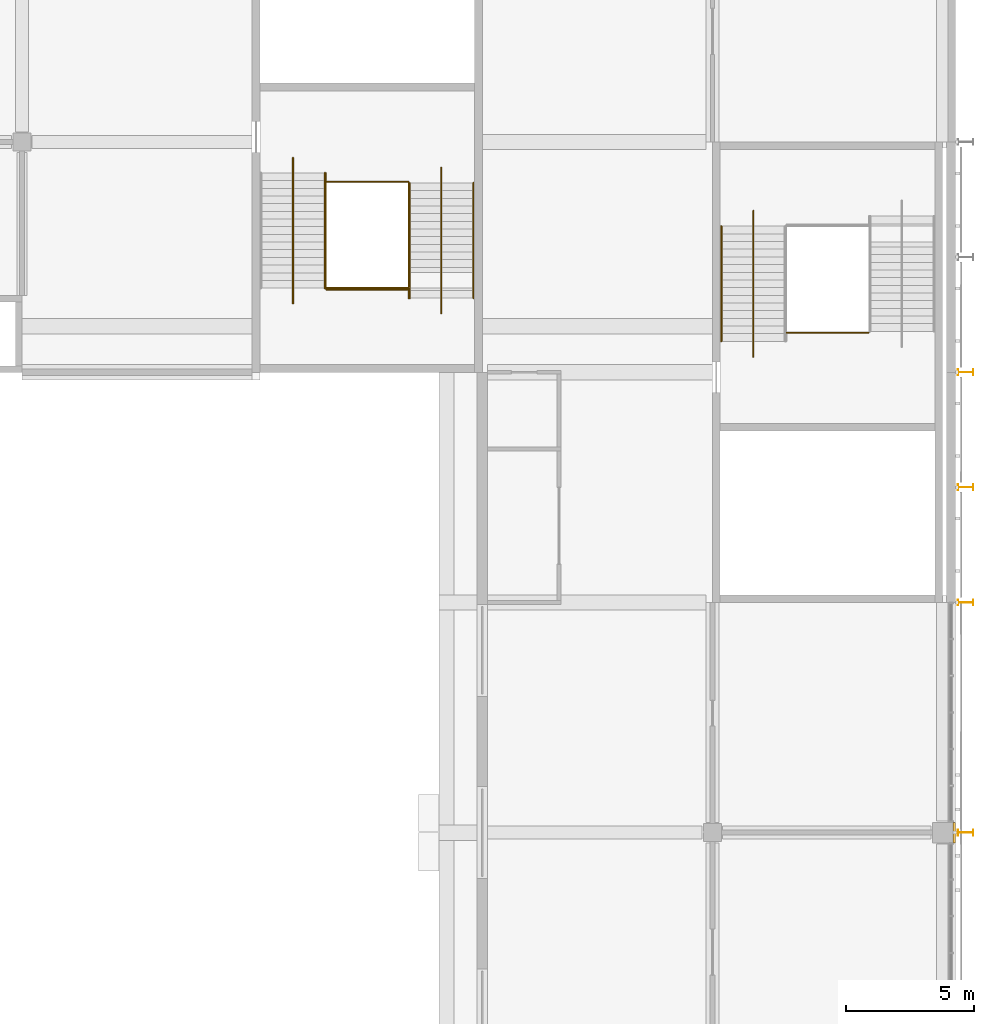
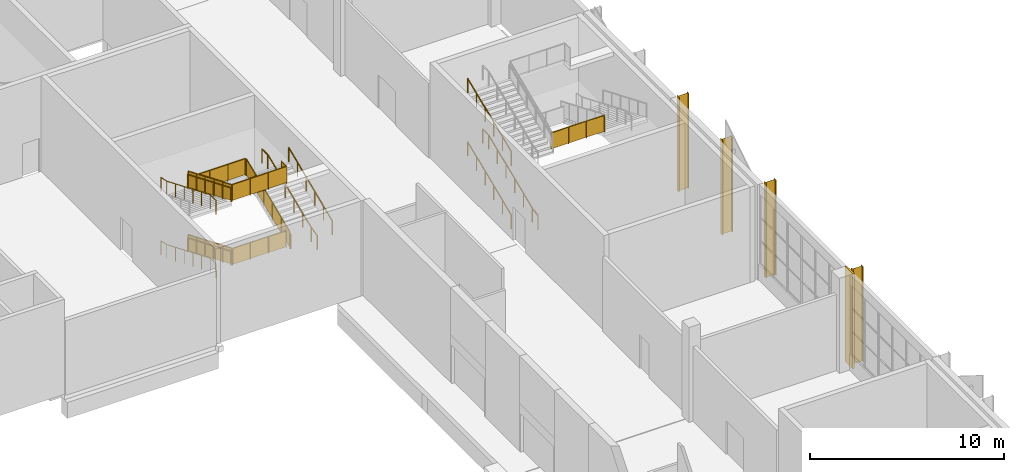
# One storey, part 82 of 89: 17 railings, 4 shading devices, 1 covering.
"""IFC4 building model written with IfcOpenShell, lengths in metres."""

from ifc_helpers import new_model, si_unit, direction, frame, origin, origin_2d, place, context, subcontext, project, spatial, polyline, circle, i_section, outline, extrude, material, layer, layer_set, material_profile, profile_set, type_object, element, save


model = new_model("IFC4")

# Units and contexts
model_context = context("Model", 3, precision=1e-05, world=origin(), true_north=direction((0.0, 1.0)))
body_context = subcontext(model_context, "Body", "Model", "MODEL_VIEW")
ifc_project = project(units=[si_unit("LENGTHUNIT", "METRE"), si_unit("AREAUNIT", "SQUARE_METRE"), si_unit("VOLUMEUNIT", "CUBIC_METRE"), si_unit("PLANEANGLEUNIT", "RADIAN"), si_unit("MASSUNIT", "GRAM", prefix="KILO")], contexts=[model_context])

# Site, building, storey
site_placement = place(None, origin())
site = spatial("IfcSite", under=ifc_project, at=site_placement, CompositionType="ELEMENT")
building_placement = place(site_placement, origin())
building = spatial("IfcBuilding", under=site, at=building_placement, Name="Silverbay Arena", CompositionType="ELEMENT")
storey_placement = place(building_placement, frame((0.0, 0.0, 22.0)))
storey = spatial("IfcBuildingStorey", under=building, at=storey_placement, Name="L03", CompositionType="ELEMENT", Elevation=22.0)

# Covering
ifc_material_1 = material(Name="Aluminium composite cladding", Category="aluminium")
ifc_layer = layer(ifc_material_1, 0.10009765625)
ifc_layer_set = layer_set([ifc_layer], Name="Aluminium composite cladding")
covering_type = type_object("IfcCoveringType", Name="Column cladding 100", PredefinedType="CLADDING", material=ifc_layer_set)
covering_placement = place(storey_placement, origin())
element("IfcCovering", 1, at=covering_placement, inside=storey, type_object=covering_type, Name="East column cladding L03 10", PredefinedType="CLADDING", context=body_context, shape_type="SweptSolid", body=[
    extrude(outline(polyline([(207.39990234375, 80.60009765625), (207.5, 80.60009765625), (207.5, 81.39990234375), (207.39990234375, 81.39990234375), (207.39990234375, 80.60009765625)])), origin(), (0.0, 0.0, 1.0), 6.0),
])

# Railings
ifc_material_2 = material(Name="Stainless steel", Category="steel")
railing_type_1 = type_object("IfcRailingType", Name="Stair guard 1100", PredefinedType="GUARDRAIL", material=ifc_material_2)
railing_1_placement = place(storey_placement, frame((200.89990234375, 100.550048828125, 4.0)))
element("IfcRailing", 2, at=railing_1_placement, inside=storey, type_object=railing_type_1, Name="Stair ST-E2 L03 to L04 landing 2 guard", PredefinedType="GUARDRAIL", context=body_context, shape_type="SweptSolid", body=[
    extrude(circle(Radius=0.02392578125, at=origin_2d()), frame((0.0, 0.0, 1.076171875), z_axis=(1.0, 0.0, 0.0), x_axis=(0.0, 1.0, 0.0)), (0.0, 0.0, 1.0), 3.2001953125),
    extrude(outline(polyline([(-0.008056640625, 0.050048828125), (1.07470703125, 0.050048828125), (1.07470703125, 1.052978515625), (-0.008056640625, 1.052978515625), (-0.008056640625, 0.050048828125)])), frame((0.0, 0.0029296875, 0.0), z_axis=(0.0, -1.0, 0.0), x_axis=(1.0, 0.0, 0.0)), (0.0, 0.0, 1.0), 0.006103515625),
    extrude(outline(polyline([(-0.008056640625, 0.050048828125), (1.07470703125, 0.050048828125), (1.07470703125, 1.052978515625), (-0.008056640625, 1.052978515625), (-0.008056640625, 0.050048828125)])), frame((1.066650390625, 0.0029296875, 0.0), z_axis=(0.0, -1.0, 0.0), x_axis=(1.0, 0.0, 0.0)), (0.0, 0.0, 1.0), 0.006103515625),
    extrude(outline(polyline([(-0.008056640625, 0.050048828125), (1.07470703125, 0.050048828125), (1.07470703125, 1.052978515625), (-0.008056640625, 1.052978515625), (-0.008056640625, 0.050048828125)])), frame((2.133544921875, 0.0029296875, 0.0), z_axis=(0.0, -1.0, 0.0), x_axis=(1.0, 0.0, 0.0)), (0.0, 0.0, 1.0), 0.006103515625),
    extrude(circle(Radius=0.02099609375, at=origin_2d()), origin(), (0.0, 0.0, 1.0), 1.052001953125),
    extrude(circle(Radius=0.02099609375, at=origin_2d()), frame((1.066650390625, 0.0, 0.0)), (0.0, 0.0, 1.0), 1.052001953125),
    extrude(circle(Radius=0.02099609375, at=origin_2d()), frame((2.133544921875, 0.0, 0.0)), (0.0, 0.0, 1.0), 1.052001953125),
    extrude(circle(Radius=0.02099609375, at=origin_2d()), frame((3.2001953125, 0.0, 0.0)), (0.0, 0.0, 1.0), 1.052001953125),
])
railing_2_placement = place(storey_placement, frame((182.875, 106.7900390625, 0.125)))
element("IfcRailing", 3, at=railing_2_placement, inside=storey, type_object=railing_type_1, Name="Stair ST-NE2 L03 to L04 flight 1 guard right", PredefinedType="GUARDRAIL", context=body_context, shape_type="SweptSolid", body=[
    extrude(circle(Radius=0.02392578125, at=origin_2d()), frame((0.0, 0.0, 1.076171875), z_axis=(0.0, -0.923076923077, 0.384615384615), x_axis=(1.0, 0.0, 0.0)), (0.0, 0.0, 1.0), 4.875),
    extrude(outline(polyline([(-0.008056640625, 0.046630859375), (0.907958984375, 0.42822265625), (0.907958984375, 1.431396484375), (-0.008056640625, 1.049560546875), (-0.008056640625, 0.046630859375)])), frame((0.0029296875, 0.0, 0.0), z_axis=(-1.0, 0.0, 0.0), x_axis=(0.0, -1.0, 0.0)), (0.0, 0.0, 1.0), 0.006103515625),
    extrude(outline(polyline([(-0.008056640625, 0.421630859375), (0.907958984375, 0.80322265625), (0.907958984375, 1.806396484375), (-0.008056640625, 1.424560546875), (-0.008056640625, 0.421630859375)])), frame((0.0029296875, -0.89990234375, 0.0), z_axis=(-1.0, 0.0, 0.0), x_axis=(0.0, -1.0, 0.0)), (0.0, 0.0, 1.0), 0.006103515625),
    extrude(outline(polyline([(-0.008056640625, 0.796630859375), (0.907958984375, 1.17822265625), (0.907958984375, 2.181396484375), (-0.008056640625, 1.799560546875), (-0.008056640625, 0.796630859375)])), frame((0.0029296875, -1.800048828125, 0.0), z_axis=(-1.0, 0.0, 0.0), x_axis=(0.0, -1.0, 0.0)), (0.0, 0.0, 1.0), 0.006103515625),
    extrude(outline(polyline([(-0.008056640625, 1.171630859375), (0.907958984375, 1.55322265625), (0.907958984375, 2.556396484375), (-0.008056640625, 2.174560546875), (-0.008056640625, 1.171630859375)])), frame((0.0029296875, -2.699951171875, 0.0), z_axis=(-1.0, 0.0, 0.0), x_axis=(0.0, -1.0, 0.0)), (0.0, 0.0, 1.0), 0.006103515625),
    extrude(outline(polyline([(-0.008056640625, 1.546630859375), (0.907958984375, 1.92822265625), (0.907958984375, 2.931396484375), (-0.008056640625, 2.549560546875), (-0.008056640625, 1.546630859375)])), frame((0.0029296875, -3.60009765625, 0.0), z_axis=(-1.0, 0.0, 0.0), x_axis=(0.0, -1.0, 0.0)), (0.0, 0.0, 1.0), 0.006103515625),
    extrude(circle(Radius=0.02099609375, at=origin_2d()), origin(), (0.0, 0.0, 1.0), 1.052001953125),
    extrude(circle(Radius=0.02099609375, at=origin_2d()), frame((0.0, -0.89990234375, 0.375)), (0.0, 0.0, 1.0), 1.052001953125),
    extrude(circle(Radius=0.02099609375, at=origin_2d()), frame((0.0, -1.800048828125, 0.75)), (0.0, 0.0, 1.0), 1.052001953125),
    extrude(circle(Radius=0.02099609375, at=origin_2d()), frame((0.0, -2.699951171875, 1.125)), (0.0, 0.0, 1.0), 1.052001953125),
    extrude(circle(Radius=0.02099609375, at=origin_2d()), frame((0.0, -3.60009765625, 1.5)), (0.0, 0.0, 1.0), 1.052001953125),
    extrude(circle(Radius=0.02099609375, at=origin_2d()), frame((0.0, -4.5, 1.875)), (0.0, 0.0, 1.0), 1.052001953125),
])
railing_3_placement = place(storey_placement, frame((186.125, 101.89990234375, 2.125)))
element("IfcRailing", 4, at=railing_3_placement, inside=storey, type_object=railing_type_1, Name="Stair ST-NE2 L03 to L04 flight 2 guard left", PredefinedType="GUARDRAIL", context=body_context, shape_type="SweptSolid", body=[
    extrude(circle(Radius=0.02392578125, at=origin_2d()), frame((0.0, 0.0, 1.076171875), z_axis=(0.0, 0.923076923077, 0.384615384615), x_axis=(-1.0, 0.0, 0.0)), (0.0, 0.0, 1.0), 4.875),
    extrude(outline(polyline([(-0.008056640625, 0.046630859375), (0.907958984375, 0.42822265625), (0.907958984375, 1.431396484375), (-0.008056640625, 1.049560546875), (-0.008056640625, 0.046630859375)])), frame((-0.0029296875, 0.0, 0.0), z_axis=(1.0, 0.0, 0.0), x_axis=(0.0, 1.0, 0.0)), (0.0, 0.0, 1.0), 0.006103515625),
    extrude(outline(polyline([(-0.008056640625, 0.421630859375), (0.907958984375, 0.80322265625), (0.907958984375, 1.806396484375), (-0.008056640625, 1.424560546875), (-0.008056640625, 0.421630859375)])), frame((-0.0029296875, 0.89990234375, 0.0), z_axis=(1.0, 0.0, 0.0), x_axis=(0.0, 1.0, 0.0)), (0.0, 0.0, 1.0), 0.006103515625),
    extrude(outline(polyline([(-0.008056640625, 0.796630859375), (0.907958984375, 1.17822265625), (0.907958984375, 2.181396484375), (-0.008056640625, 1.799560546875), (-0.008056640625, 0.796630859375)])), frame((-0.0029296875, 1.800048828125, 0.0), z_axis=(1.0, 0.0, 0.0), x_axis=(0.0, 1.0, 0.0)), (0.0, 0.0, 1.0), 0.006103515625),
    extrude(outline(polyline([(-0.008056640625, 1.171630859375), (0.907958984375, 1.55322265625), (0.907958984375, 2.556396484375), (-0.008056640625, 2.174560546875), (-0.008056640625, 1.171630859375)])), frame((-0.0029296875, 2.699951171875, 0.0), z_axis=(1.0, 0.0, 0.0), x_axis=(0.0, 1.0, 0.0)), (0.0, 0.0, 1.0), 0.006103515625),
    extrude(outline(polyline([(-0.008056640625, 1.546630859375), (0.907958984375, 1.92822265625), (0.907958984375, 2.931396484375), (-0.008056640625, 2.549560546875), (-0.008056640625, 1.546630859375)])), frame((-0.0029296875, 3.60009765625, 0.0), z_axis=(1.0, 0.0, 0.0), x_axis=(0.0, 1.0, 0.0)), (0.0, 0.0, 1.0), 0.006103515625),
    extrude(circle(Radius=0.02099609375, at=origin_2d()), origin(), (0.0, 0.0, 1.0), 1.052001953125),
    extrude(circle(Radius=0.02099609375, at=origin_2d()), frame((0.0, 0.89990234375, 0.375)), (0.0, 0.0, 1.0), 1.052001953125),
    extrude(circle(Radius=0.02099609375, at=origin_2d()), frame((0.0, 1.800048828125, 0.75)), (0.0, 0.0, 1.0), 1.052001953125),
    extrude(circle(Radius=0.02099609375, at=origin_2d()), frame((0.0, 2.699951171875, 1.125)), (0.0, 0.0, 1.0), 1.052001953125),
    extrude(circle(Radius=0.02099609375, at=origin_2d()), frame((0.0, 3.60009765625, 1.5)), (0.0, 0.0, 1.0), 1.052001953125),
    extrude(circle(Radius=0.02099609375, at=origin_2d()), frame((0.0, 4.5, 1.875)), (0.0, 0.0, 1.0), 1.052001953125),
])
railing_4_placement = place(storey_placement, frame((182.875, 106.7900390625, 4.125)))
element("IfcRailing", 5, at=railing_4_placement, inside=storey, type_object=railing_type_1, Name="Stair ST-NE2 L03 to L04 flight 3 guard right", PredefinedType="GUARDRAIL", context=body_context, shape_type="SweptSolid", body=[
    extrude(circle(Radius=0.02392578125, at=origin_2d()), frame((0.0, 0.0, 1.076171875), z_axis=(0.0, -0.923076923077, 0.384615384615), x_axis=(1.0, 0.0, 0.0)), (0.0, 0.0, 1.0), 4.875),
    extrude(outline(polyline([(-0.008056640625, 0.046630859375), (0.907958984375, 0.42822265625), (0.907958984375, 1.431396484375), (-0.008056640625, 1.049560546875), (-0.008056640625, 0.046630859375)])), frame((0.0029296875, 0.0, 0.0), z_axis=(-1.0, 0.0, 0.0), x_axis=(0.0, -1.0, 0.0)), (0.0, 0.0, 1.0), 0.006103515625),
    extrude(outline(polyline([(-0.008056640625, 0.421630859375), (0.907958984375, 0.80322265625), (0.907958984375, 1.806396484375), (-0.008056640625, 1.424560546875), (-0.008056640625, 0.421630859375)])), frame((0.0029296875, -0.89990234375, 0.0), z_axis=(-1.0, 0.0, 0.0), x_axis=(0.0, -1.0, 0.0)), (0.0, 0.0, 1.0), 0.006103515625),
    extrude(outline(polyline([(-0.008056640625, 0.796630859375), (0.907958984375, 1.17822265625), (0.907958984375, 2.181396484375), (-0.008056640625, 1.799560546875), (-0.008056640625, 0.796630859375)])), frame((0.0029296875, -1.800048828125, 0.0), z_axis=(-1.0, 0.0, 0.0), x_axis=(0.0, -1.0, 0.0)), (0.0, 0.0, 1.0), 0.006103515625),
    extrude(outline(polyline([(-0.008056640625, 1.171630859375), (0.907958984375, 1.55322265625), (0.907958984375, 2.556396484375), (-0.008056640625, 2.174560546875), (-0.008056640625, 1.171630859375)])), frame((0.0029296875, -2.699951171875, 0.0), z_axis=(-1.0, 0.0, 0.0), x_axis=(0.0, -1.0, 0.0)), (0.0, 0.0, 1.0), 0.006103515625),
    extrude(outline(polyline([(-0.008056640625, 1.546630859375), (0.907958984375, 1.92822265625), (0.907958984375, 2.931396484375), (-0.008056640625, 2.549560546875), (-0.008056640625, 1.546630859375)])), frame((0.0029296875, -3.60009765625, 0.0), z_axis=(-1.0, 0.0, 0.0), x_axis=(0.0, -1.0, 0.0)), (0.0, 0.0, 1.0), 0.006103515625),
    extrude(circle(Radius=0.02099609375, at=origin_2d()), origin(), (0.0, 0.0, 1.0), 1.052001953125),
    extrude(circle(Radius=0.02099609375, at=origin_2d()), frame((0.0, -0.89990234375, 0.375)), (0.0, 0.0, 1.0), 1.052001953125),
    extrude(circle(Radius=0.02099609375, at=origin_2d()), frame((0.0, -1.800048828125, 0.75)), (0.0, 0.0, 1.0), 1.052001953125),
    extrude(circle(Radius=0.02099609375, at=origin_2d()), frame((0.0, -2.699951171875, 1.125)), (0.0, 0.0, 1.0), 1.052001953125),
    extrude(circle(Radius=0.02099609375, at=origin_2d()), frame((0.0, -3.60009765625, 1.5)), (0.0, 0.0, 1.0), 1.052001953125),
    extrude(circle(Radius=0.02099609375, at=origin_2d()), frame((0.0, -4.5, 1.875)), (0.0, 0.0, 1.0), 1.052001953125),
])
for number, where, name in (
    (6, (182.89990234375, 102.239990234375, 2.0), "Stair ST-NE2 L03 to L04 landing 1 guard"),
    (7, (182.89990234375, 106.449951171875, 4.0), "Stair ST-NE2 L03 to L04 landing 2 guard"),
):
    element("IfcRailing", number, at=place(storey_placement, frame(where)), inside=storey, type_object=railing_type_1, Name=name, PredefinedType="GUARDRAIL", context=body_context, shape_type="SweptSolid", body=[
        extrude(circle(Radius=0.02392578125, at=origin_2d()), frame((0.0, 0.0, 1.076171875), z_axis=(1.0, 0.0, 0.0), x_axis=(0.0, 1.0, 0.0)), (0.0, 0.0, 1.0), 3.2001953125),
        extrude(outline(polyline([(-0.008056640625, 0.050048828125), (1.07470703125, 0.050048828125), (1.07470703125, 1.052978515625), (-0.008056640625, 1.052978515625), (-0.008056640625, 0.050048828125)])), frame((0.0, 0.0029296875, 0.0), z_axis=(0.0, -1.0, 0.0), x_axis=(1.0, 0.0, 0.0)), (0.0, 0.0, 1.0), 0.006103515625),
        extrude(outline(polyline([(-0.008056640625, 0.050048828125), (1.07470703125, 0.050048828125), (1.07470703125, 1.052978515625), (-0.008056640625, 1.052978515625), (-0.008056640625, 0.050048828125)])), frame((1.066650390625, 0.0029296875, 0.0), z_axis=(0.0, -1.0, 0.0), x_axis=(1.0, 0.0, 0.0)), (0.0, 0.0, 1.0), 0.006103515625),
        extrude(outline(polyline([(-0.008056640625, 0.050048828125), (1.07470703125, 0.050048828125), (1.07470703125, 1.052978515625), (-0.008056640625, 1.052978515625), (-0.008056640625, 0.050048828125)])), frame((2.133544921875, 0.0029296875, 0.0), z_axis=(0.0, -1.0, 0.0), x_axis=(1.0, 0.0, 0.0)), (0.0, 0.0, 1.0), 0.006103515625),
        extrude(circle(Radius=0.02099609375, at=origin_2d()), origin(), (0.0, 0.0, 1.0), 1.052001953125),
        extrude(circle(Radius=0.02099609375, at=origin_2d()), frame((1.066650390625, 0.0, 0.0)), (0.0, 0.0, 1.0), 1.052001953125),
        extrude(circle(Radius=0.02099609375, at=origin_2d()), frame((2.133544921875, 0.0, 0.0)), (0.0, 0.0, 1.0), 1.052001953125),
        extrude(circle(Radius=0.02099609375, at=origin_2d()), frame((3.2001953125, 0.0, 0.0)), (0.0, 0.0, 1.0), 1.052001953125),
    ])
railing_5_placement = place(storey_placement, frame((186.14990234375, 102.85009765625, 6.0)))
element("IfcRailing", 8, at=railing_5_placement, inside=storey, type_object=railing_type_1, Name="Stair ST-NE2 L03 to L04 landing 3 guard", PredefinedType="GUARDRAIL", context=body_context, shape_type="SweptSolid", body=[
    extrude(circle(Radius=0.02392578125, at=origin_2d()), frame((0.0, 0.0, 1.076171875), z_axis=(0.0, -1.0, 0.0), x_axis=(1.0, 0.0, 0.0)), (0.0, 0.0, 1.0), 0.56005859375),
    extrude(outline(polyline([(-0.008056640625, 0.050048828125), (0.568115234375, 0.050048828125), (0.568115234375, 1.052978515625), (-0.008056640625, 1.052978515625), (-0.008056640625, 0.050048828125)])), frame((0.0029296875, 0.0, 0.0), z_axis=(-1.0, 0.0, 0.0), x_axis=(0.0, -1.0, 0.0)), (0.0, 0.0, 1.0), 0.006103515625),
    extrude(circle(Radius=0.02392578125, at=origin_2d()), frame((0.0, -0.56005859375, 1.076171875), z_axis=(-1.0, 0.0, 0.0), x_axis=(0.0, -1.0, 0.0)), (0.0, 0.0, 1.0), 3.25),
    extrude(outline(polyline([(-0.008056640625, 0.050048828125), (1.09130859375, 0.050048828125), (1.09130859375, 1.052978515625), (-0.008056640625, 1.052978515625), (-0.008056640625, 0.050048828125)])), frame((0.0, -0.56298828125, 0.0), z_axis=(0.0, 1.0, 0.0), x_axis=(-1.0, 0.0, 0.0)), (0.0, 0.0, 1.0), 0.006103515625),
    extrude(outline(polyline([(-0.008056640625, 0.050048828125), (1.09130859375, 0.050048828125), (1.09130859375, 1.052978515625), (-0.008056640625, 1.052978515625), (-0.008056640625, 0.050048828125)])), frame((-1.083251953125, -0.56298828125, 0.0), z_axis=(0.0, 1.0, 0.0), x_axis=(-1.0, 0.0, 0.0)), (0.0, 0.0, 1.0), 0.006103515625),
    extrude(outline(polyline([(-0.008056640625, 0.050048828125), (1.09130859375, 0.050048828125), (1.09130859375, 1.052978515625), (-0.008056640625, 1.052978515625), (-0.008056640625, 0.050048828125)])), frame((-2.166748046875, -0.56298828125, 0.0), z_axis=(0.0, 1.0, 0.0), x_axis=(-1.0, 0.0, 0.0)), (0.0, 0.0, 1.0), 0.006103515625),
    extrude(circle(Radius=0.02099609375, at=origin_2d()), origin(), (0.0, 0.0, 1.0), 1.052001953125),
    extrude(circle(Radius=0.02099609375, at=origin_2d()), frame((0.0, -0.56005859375, 0.0)), (0.0, 0.0, 1.0), 1.052001953125),
    extrude(circle(Radius=0.02099609375, at=origin_2d()), frame((-1.083251953125, -0.56005859375, 0.0)), (0.0, 0.0, 1.0), 1.052001953125),
    extrude(circle(Radius=0.02099609375, at=origin_2d()), frame((-2.166748046875, -0.56005859375, 0.0)), (0.0, 0.0, 1.0), 1.052001953125),
    extrude(circle(Radius=0.02099609375, at=origin_2d()), frame((-3.25, -0.56005859375, 0.0)), (0.0, 0.0, 1.0), 1.052001953125),
])
ifc_material_3 = material(Name="Stainless steel", Category="steel")
railing_type_2 = type_object("IfcRailingType", Name="Stair handrail 900", PredefinedType="HANDRAIL", material=ifc_material_3)
railing_6_placement = place(storey_placement, frame((198.35009765625, 100.2099609375, 0.125)))
element("IfcRailing", 9, at=railing_6_placement, inside=storey, type_object=railing_type_2, Name="Stair ST-E2 L03 to L04 flight 1 handrail left", PredefinedType="HANDRAIL", context=body_context, shape_type="SweptSolid", body=[
    extrude(circle(Radius=0.02392578125, at=origin_2d()), frame((0.0, 0.0, 0.8759765625), z_axis=(0.0, 0.923076923077, 0.384615384615), x_axis=(-1.0, 0.0, 0.0)), (0.0, 0.0, 1.0), 4.875),
    extrude(circle(Radius=0.02099609375, at=origin_2d()), origin(), (0.0, 0.0, 1.0), 0.851806640625),
    extrude(circle(Radius=0.02099609375, at=origin_2d()), frame((0.0, 0.89990234375, 0.375)), (0.0, 0.0, 1.0), 0.851806640625),
    extrude(circle(Radius=0.02099609375, at=origin_2d()), frame((0.0, 1.800048828125, 0.75)), (0.0, 0.0, 1.0), 0.851806640625),
    extrude(circle(Radius=0.02099609375, at=origin_2d()), frame((0.0, 2.699951171875, 1.125)), (0.0, 0.0, 1.0), 0.851806640625),
    extrude(circle(Radius=0.02099609375, at=origin_2d()), frame((0.0, 3.60009765625, 1.5)), (0.0, 0.0, 1.0), 0.851806640625),
    extrude(circle(Radius=0.02099609375, at=origin_2d()), frame((0.0, 4.5, 1.875)), (0.0, 0.0, 1.0), 0.851806640625),
])
railing_7_placement = place(storey_placement, frame((199.60009765625, 99.610107421875, 0.0)))
element("IfcRailing", 10, at=railing_7_placement, inside=storey, type_object=railing_type_2, Name="Stair ST-E2 L03 to L04 flight 1 central handrail", PredefinedType="HANDRAIL", context=body_context, shape_type="SweptSolid", body=[
    extrude(circle(Radius=0.02392578125, at=origin_2d()), frame((0.0, 0.0, 0.8759765625), z_axis=(0.0, 0.978970474113, 0.20400198728), x_axis=(-1.0, 0.0, 0.0)), (0.0, 0.0, 1.0), 0.61279296875),
    extrude(circle(Radius=0.02392578125, at=origin_2d()), frame((0.0, 0.599853515625, 1.0009765625), z_axis=(0.0, 0.923076923077, 0.384615384615), x_axis=(-1.0, 0.0, 0.0)), (0.0, 0.0, 1.0), 4.875),
    extrude(circle(Radius=0.02392578125, at=origin_2d()), frame((0.0, 5.099853515625, 2.8759765625), z_axis=(0.0, 1.0, 0.0), x_axis=(-1.0, 0.0, 0.0)), (0.0, 0.0, 1.0), 0.60009765625),
    extrude(circle(Radius=0.02099609375, at=origin_2d()), origin(), (0.0, 0.0, 1.0), 0.851806640625),
    extrude(circle(Radius=0.02099609375, at=origin_2d()), frame((0.0, 0.599853515625, 0.125)), (0.0, 0.0, 1.0), 0.851806640625),
    extrude(circle(Radius=0.02099609375, at=origin_2d()), frame((0.0, 1.499755859375, 0.5)), (0.0, 0.0, 1.0), 0.851806640625),
    extrude(circle(Radius=0.02099609375, at=origin_2d()), frame((0.0, 2.39990234375, 0.875)), (0.0, 0.0, 1.0), 0.851806640625),
    extrude(circle(Radius=0.02099609375, at=origin_2d()), frame((0.0, 3.2998046875, 1.25)), (0.0, 0.0, 1.0), 0.851806640625),
    extrude(circle(Radius=0.02099609375, at=origin_2d()), frame((0.0, 4.199951171875, 1.625)), (0.0, 0.0, 1.0), 0.851806640625),
    extrude(circle(Radius=0.02099609375, at=origin_2d()), frame((0.0, 5.099853515625, 2.0)), (0.0, 0.0, 1.0), 0.851806640625),
    extrude(circle(Radius=0.02099609375, at=origin_2d()), frame((0.0, 5.699951171875, 2.0)), (0.0, 0.0, 1.0), 0.851806640625),
])
railing_8_placement = place(storey_placement, frame((198.35009765625, 100.2099609375, 4.125)))
element("IfcRailing", 11, at=railing_8_placement, inside=storey, type_object=railing_type_2, Name="Stair ST-E2 L03 to L04 flight 3 handrail left", PredefinedType="HANDRAIL", context=body_context, shape_type="SweptSolid", body=[
    extrude(circle(Radius=0.02392578125, at=origin_2d()), frame((0.0, 0.0, 0.8759765625), z_axis=(0.0, 0.923076923077, 0.384615384615), x_axis=(-1.0, 0.0, 0.0)), (0.0, 0.0, 1.0), 4.875),
    extrude(circle(Radius=0.02099609375, at=origin_2d()), origin(), (0.0, 0.0, 1.0), 0.851806640625),
    extrude(circle(Radius=0.02099609375, at=origin_2d()), frame((0.0, 0.89990234375, 0.375)), (0.0, 0.0, 1.0), 0.851806640625),
    extrude(circle(Radius=0.02099609375, at=origin_2d()), frame((0.0, 1.800048828125, 0.75)), (0.0, 0.0, 1.0), 0.851806640625),
    extrude(circle(Radius=0.02099609375, at=origin_2d()), frame((0.0, 2.699951171875, 1.125)), (0.0, 0.0, 1.0), 0.851806640625),
    extrude(circle(Radius=0.02099609375, at=origin_2d()), frame((0.0, 3.60009765625, 1.5)), (0.0, 0.0, 1.0), 0.851806640625),
    extrude(circle(Radius=0.02099609375, at=origin_2d()), frame((0.0, 4.5, 1.875)), (0.0, 0.0, 1.0), 0.851806640625),
])
railing_9_placement = place(storey_placement, frame((182.8359375, 106.7900390625, 0.125)))
element("IfcRailing", 12, at=railing_9_placement, inside=storey, type_object=railing_type_2, Name="Stair ST-NE2 L03 to L04 flight 1 handrail right", PredefinedType="HANDRAIL", context=body_context, shape_type="SweptSolid", body=[
    extrude(circle(Radius=0.02392578125, at=origin_2d()), frame((0.0, 0.0, 0.8759765625), z_axis=(0.0, -0.923076923077, 0.384615384615), x_axis=(1.0, 0.0, 0.0)), (0.0, 0.0, 1.0), 4.875),
    extrude(circle(Radius=0.02099609375, at=origin_2d()), origin(), (0.0, 0.0, 1.0), 0.851806640625),
    extrude(circle(Radius=0.02099609375, at=origin_2d()), frame((0.0, -0.89990234375, 0.375)), (0.0, 0.0, 1.0), 0.851806640625),
    extrude(circle(Radius=0.02099609375, at=origin_2d()), frame((0.0, -1.800048828125, 0.75)), (0.0, 0.0, 1.0), 0.851806640625),
    extrude(circle(Radius=0.02099609375, at=origin_2d()), frame((0.0, -2.699951171875, 1.125)), (0.0, 0.0, 1.0), 0.851806640625),
    extrude(circle(Radius=0.02099609375, at=origin_2d()), frame((0.0, -3.60009765625, 1.5)), (0.0, 0.0, 1.0), 0.851806640625),
    extrude(circle(Radius=0.02099609375, at=origin_2d()), frame((0.0, -4.5, 1.875)), (0.0, 0.0, 1.0), 0.851806640625),
])
railing_10_placement = place(storey_placement, frame((181.60009765625, 107.389892578125, 0.0)))
element("IfcRailing", 13, at=railing_10_placement, inside=storey, type_object=railing_type_2, Name="Stair ST-NE2 L03 to L04 flight 1 central handrail", PredefinedType="HANDRAIL", context=body_context, shape_type="SweptSolid", body=[
    extrude(circle(Radius=0.02392578125, at=origin_2d()), frame((0.0, 0.0, 0.8759765625), z_axis=(0.0, -0.978970474113, 0.20400198728), x_axis=(1.0, 0.0, 0.0)), (0.0, 0.0, 1.0), 0.61279296875),
    extrude(circle(Radius=0.02392578125, at=origin_2d()), frame((0.0, -0.599853515625, 1.0009765625), z_axis=(0.0, -0.923076923077, 0.384615384615), x_axis=(1.0, 0.0, 0.0)), (0.0, 0.0, 1.0), 4.875),
    extrude(circle(Radius=0.02392578125, at=origin_2d()), frame((0.0, -5.099853515625, 2.8759765625), z_axis=(0.0, -1.0, 0.0), x_axis=(1.0, 0.0, 0.0)), (0.0, 0.0, 1.0), 0.60009765625),
    extrude(circle(Radius=0.02099609375, at=origin_2d()), origin(), (0.0, 0.0, 1.0), 0.851806640625),
    extrude(circle(Radius=0.02099609375, at=origin_2d()), frame((0.0, -0.599853515625, 0.125)), (0.0, 0.0, 1.0), 0.851806640625),
    extrude(circle(Radius=0.02099609375, at=origin_2d()), frame((0.0, -1.499755859375, 0.5)), (0.0, 0.0, 1.0), 0.851806640625),
    extrude(circle(Radius=0.02099609375, at=origin_2d()), frame((0.0, -2.39990234375, 0.875)), (0.0, 0.0, 1.0), 0.851806640625),
    extrude(circle(Radius=0.02099609375, at=origin_2d()), frame((0.0, -3.2998046875, 1.25)), (0.0, 0.0, 1.0), 0.851806640625),
    extrude(circle(Radius=0.02099609375, at=origin_2d()), frame((0.0, -4.199951171875, 1.625)), (0.0, 0.0, 1.0), 0.851806640625),
    extrude(circle(Radius=0.02099609375, at=origin_2d()), frame((0.0, -5.099853515625, 2.0)), (0.0, 0.0, 1.0), 0.851806640625),
    extrude(circle(Radius=0.02099609375, at=origin_2d()), frame((0.0, -5.699951171875, 2.0)), (0.0, 0.0, 1.0), 0.851806640625),
])
for number, where, name in (
    (14, (186.1640625, 101.89990234375, 2.125), "Stair ST-NE2 L03 to L04 flight 2 handrail left"),
    (15, (188.64990234375, 101.89990234375, 2.125), "Stair ST-NE2 L03 to L04 flight 2 handrail right"),
):
    element("IfcRailing", number, at=place(storey_placement, frame(where)), inside=storey, type_object=railing_type_2, Name=name, PredefinedType="HANDRAIL", context=body_context, shape_type="SweptSolid", body=[
        extrude(circle(Radius=0.02392578125, at=origin_2d()), frame((0.0, 0.0, 0.8759765625), z_axis=(0.0, 0.923076923077, 0.384615384615), x_axis=(-1.0, 0.0, 0.0)), (0.0, 0.0, 1.0), 4.875),
        extrude(circle(Radius=0.02099609375, at=origin_2d()), origin(), (0.0, 0.0, 1.0), 0.851806640625),
        extrude(circle(Radius=0.02099609375, at=origin_2d()), frame((0.0, 0.89990234375, 0.375)), (0.0, 0.0, 1.0), 0.851806640625),
        extrude(circle(Radius=0.02099609375, at=origin_2d()), frame((0.0, 1.800048828125, 0.75)), (0.0, 0.0, 1.0), 0.851806640625),
        extrude(circle(Radius=0.02099609375, at=origin_2d()), frame((0.0, 2.699951171875, 1.125)), (0.0, 0.0, 1.0), 0.851806640625),
        extrude(circle(Radius=0.02099609375, at=origin_2d()), frame((0.0, 3.60009765625, 1.5)), (0.0, 0.0, 1.0), 0.851806640625),
        extrude(circle(Radius=0.02099609375, at=origin_2d()), frame((0.0, 4.5, 1.875)), (0.0, 0.0, 1.0), 0.851806640625),
    ])
railing_11_placement = place(storey_placement, frame((187.39990234375, 101.300048828125, 2.0)))
element("IfcRailing", 16, at=railing_11_placement, inside=storey, type_object=railing_type_2, Name="Stair ST-NE2 L03 to L04 flight 2 central handrail", PredefinedType="HANDRAIL", context=body_context, shape_type="SweptSolid", body=[
    extrude(circle(Radius=0.02392578125, at=origin_2d()), frame((0.0, 0.0, 0.8759765625), z_axis=(0.0, 0.978970474113, 0.20400198728), x_axis=(-1.0, 0.0, 0.0)), (0.0, 0.0, 1.0), 0.61279296875),
    extrude(circle(Radius=0.02392578125, at=origin_2d()), frame((0.0, 0.599853515625, 1.0009765625), z_axis=(0.0, 0.923076923077, 0.384615384615), x_axis=(-1.0, 0.0, 0.0)), (0.0, 0.0, 1.0), 4.875),
    extrude(circle(Radius=0.02392578125, at=origin_2d()), frame((0.0, 5.099853515625, 2.8759765625), z_axis=(0.0, 1.0, 0.0), x_axis=(-1.0, 0.0, 0.0)), (0.0, 0.0, 1.0), 0.60009765625),
    extrude(circle(Radius=0.02099609375, at=origin_2d()), origin(), (0.0, 0.0, 1.0), 0.851806640625),
    extrude(circle(Radius=0.02099609375, at=origin_2d()), frame((0.0, 0.599853515625, 0.125)), (0.0, 0.0, 1.0), 0.851806640625),
    extrude(circle(Radius=0.02099609375, at=origin_2d()), frame((0.0, 1.499755859375, 0.5)), (0.0, 0.0, 1.0), 0.851806640625),
    extrude(circle(Radius=0.02099609375, at=origin_2d()), frame((0.0, 2.39990234375, 0.875)), (0.0, 0.0, 1.0), 0.851806640625),
    extrude(circle(Radius=0.02099609375, at=origin_2d()), frame((0.0, 3.2998046875, 1.25)), (0.0, 0.0, 1.0), 0.851806640625),
    extrude(circle(Radius=0.02099609375, at=origin_2d()), frame((0.0, 4.199951171875, 1.625)), (0.0, 0.0, 1.0), 0.851806640625),
    extrude(circle(Radius=0.02099609375, at=origin_2d()), frame((0.0, 5.099853515625, 2.0)), (0.0, 0.0, 1.0), 0.851806640625),
    extrude(circle(Radius=0.02099609375, at=origin_2d()), frame((0.0, 5.699951171875, 2.0)), (0.0, 0.0, 1.0), 0.851806640625),
])
railing_12_placement = place(storey_placement, frame((182.8359375, 106.7900390625, 4.125)))
element("IfcRailing", 17, at=railing_12_placement, inside=storey, type_object=railing_type_2, Name="Stair ST-NE2 L03 to L04 flight 3 handrail right", PredefinedType="HANDRAIL", context=body_context, shape_type="SweptSolid", body=[
    extrude(circle(Radius=0.02392578125, at=origin_2d()), frame((0.0, 0.0, 0.8759765625), z_axis=(0.0, -0.923076923077, 0.384615384615), x_axis=(1.0, 0.0, 0.0)), (0.0, 0.0, 1.0), 4.875),
    extrude(circle(Radius=0.02099609375, at=origin_2d()), origin(), (0.0, 0.0, 1.0), 0.851806640625),
    extrude(circle(Radius=0.02099609375, at=origin_2d()), frame((0.0, -0.89990234375, 0.375)), (0.0, 0.0, 1.0), 0.851806640625),
    extrude(circle(Radius=0.02099609375, at=origin_2d()), frame((0.0, -1.800048828125, 0.75)), (0.0, 0.0, 1.0), 0.851806640625),
    extrude(circle(Radius=0.02099609375, at=origin_2d()), frame((0.0, -2.699951171875, 1.125)), (0.0, 0.0, 1.0), 0.851806640625),
    extrude(circle(Radius=0.02099609375, at=origin_2d()), frame((0.0, -3.60009765625, 1.5)), (0.0, 0.0, 1.0), 0.851806640625),
    extrude(circle(Radius=0.02099609375, at=origin_2d()), frame((0.0, -4.5, 1.875)), (0.0, 0.0, 1.0), 0.851806640625),
])
railing_13_placement = place(storey_placement, frame((181.60009765625, 107.389892578125, 4.0)))
element("IfcRailing", 18, at=railing_13_placement, inside=storey, type_object=railing_type_2, Name="Stair ST-NE2 L03 to L04 flight 3 central handrail", PredefinedType="HANDRAIL", context=body_context, shape_type="SweptSolid", body=[
    extrude(circle(Radius=0.02392578125, at=origin_2d()), frame((0.0, 0.0, 0.8759765625), z_axis=(0.0, -0.978970474113, 0.20400198728), x_axis=(1.0, 0.0, 0.0)), (0.0, 0.0, 1.0), 0.61279296875),
    extrude(circle(Radius=0.02392578125, at=origin_2d()), frame((0.0, -0.599853515625, 1.0009765625), z_axis=(0.0, -0.923076923077, 0.384615384615), x_axis=(1.0, 0.0, 0.0)), (0.0, 0.0, 1.0), 4.875),
    extrude(circle(Radius=0.02392578125, at=origin_2d()), frame((0.0, -5.099853515625, 2.8759765625), z_axis=(0.0, -1.0, 0.0), x_axis=(1.0, 0.0, 0.0)), (0.0, 0.0, 1.0), 0.60009765625),
    extrude(circle(Radius=0.02099609375, at=origin_2d()), origin(), (0.0, 0.0, 1.0), 0.851806640625),
    extrude(circle(Radius=0.02099609375, at=origin_2d()), frame((0.0, -0.599853515625, 0.125)), (0.0, 0.0, 1.0), 0.851806640625),
    extrude(circle(Radius=0.02099609375, at=origin_2d()), frame((0.0, -1.499755859375, 0.5)), (0.0, 0.0, 1.0), 0.851806640625),
    extrude(circle(Radius=0.02099609375, at=origin_2d()), frame((0.0, -2.39990234375, 0.875)), (0.0, 0.0, 1.0), 0.851806640625),
    extrude(circle(Radius=0.02099609375, at=origin_2d()), frame((0.0, -3.2998046875, 1.25)), (0.0, 0.0, 1.0), 0.851806640625),
    extrude(circle(Radius=0.02099609375, at=origin_2d()), frame((0.0, -4.199951171875, 1.625)), (0.0, 0.0, 1.0), 0.851806640625),
    extrude(circle(Radius=0.02099609375, at=origin_2d()), frame((0.0, -5.099853515625, 2.0)), (0.0, 0.0, 1.0), 0.851806640625),
    extrude(circle(Radius=0.02099609375, at=origin_2d()), frame((0.0, -5.699951171875, 2.0)), (0.0, 0.0, 1.0), 0.851806640625),
])

# Shading devices
ifc_material_4 = material(Name="Steel S355", Category="steel")
ifc_material_profile = material_profile(ifc_material_4, i_section(OverallWidth=0.2275390625, OverallDepth=0.6025390625, WebThickness=0.010498046875, FlangeThickness=0.014892578125, at=origin_2d()), Name="UB 610x229x101")
ifc_profile_set = profile_set([ifc_material_profile], Name="Steel S355")
shading_device_type = type_object("IfcShadingDeviceType", Name="Steel fin UB 610x229x101", PredefinedType="USERDEFINED", material=ifc_profile_set)
for number, where, z_axis, x_axis, name in (
    (19, (207.9013671875, 81.0, 0.0), (0.0, 0.0, 1.0), (0.0, 1.0, 0.0), "Steel fin E L03 14"),
    (20, (207.9013671875, 90.0, 0.0), (0.0, 0.0, 1.0), (0.0, 1.0, 0.0), "Steel fin E L03 16"),
    (21, (207.9013671875, 94.5, 0.0), (0.0, 0.0, 1.0), (0.0, 1.0, 0.0), "Steel fin E L03 17"),
    (22, (207.9013671875, 99.0, 0.0), (0.0, 0.0, 1.0), (0.0, 1.0, 0.0), "Steel fin E L03 18"),
):
    element("IfcShadingDevice", number, at=place(storey_placement, frame(where, z_axis=z_axis, x_axis=x_axis)), inside=storey, type_object=shading_device_type, Name=name, ObjectType="FIN", PredefinedType="USERDEFINED", context=body_context, shape_type="SweptSolid", body=[
        extrude(i_section(OverallWidth=0.2275390625, OverallDepth=0.6025390625, WebThickness=0.010498046875, FlangeThickness=0.014892578125, at=origin_2d()), origin(), (0.0, 0.0, 1.0), 6.0),
    ])

save(model, "model.ifc")
